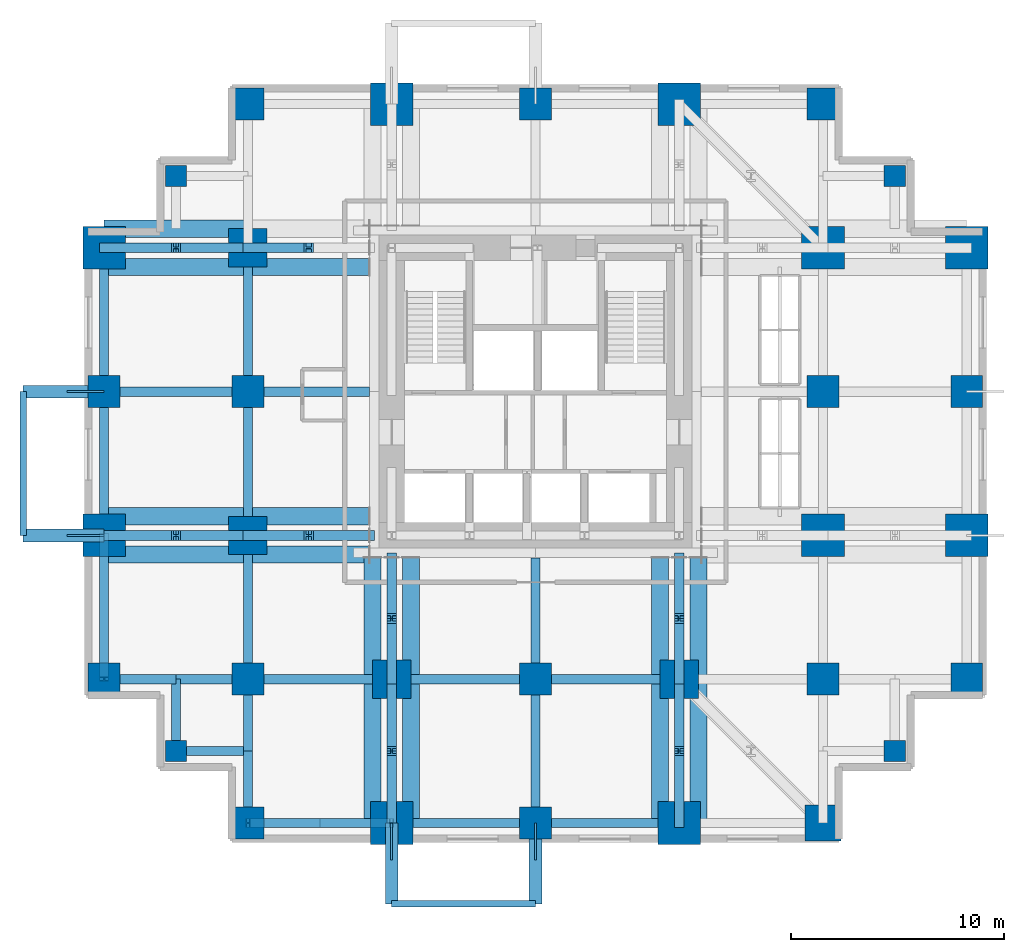
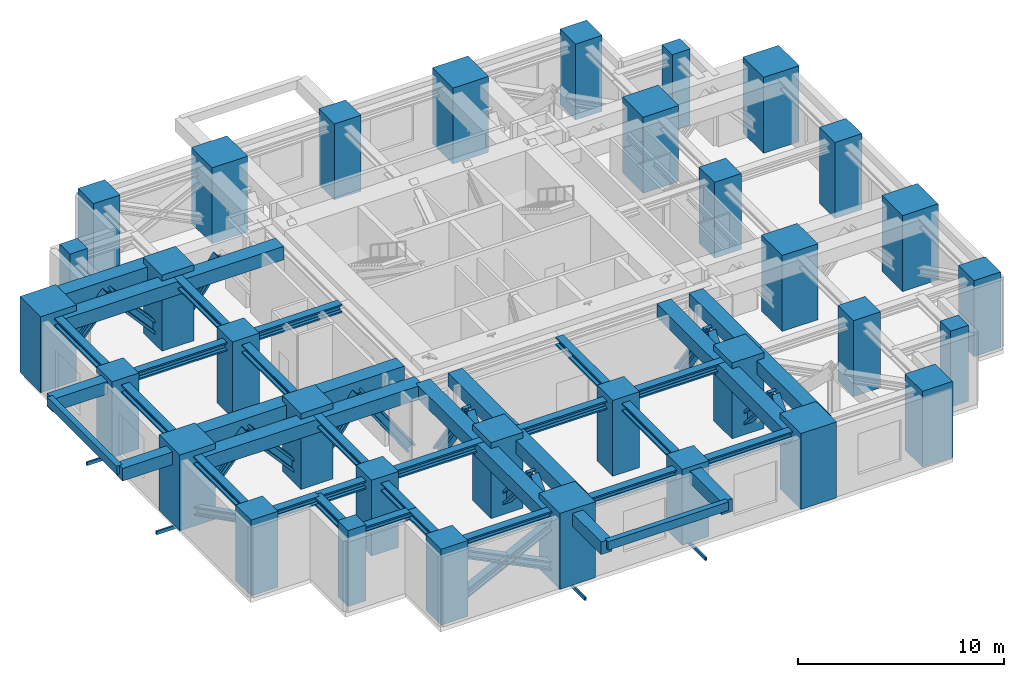
# One storey, part 1 of 6: 43 beams, 33 columns, 22 members.
"""IFC4 building model written with IfcOpenShell, lengths in metres."""

from ifc_helpers import new_model, si_unit, direction, frame, origin, origin_2d, place, context, subcontext, project, spatial, rectangle, hollow_rectangle, i_section, extrude, material, material_profile, profile_set, type_object, element, save


model = new_model("IFC4")

# Units and contexts
model_context = context("Model", 3, precision=1e-05, world=origin(), true_north=direction((0.0, 1.0)))
body_context = subcontext(model_context, "Body", "Model", "MODEL_VIEW")
ifc_project = project(units=[si_unit("LENGTHUNIT", "METRE"), si_unit("AREAUNIT", "SQUARE_METRE"), si_unit("VOLUMEUNIT", "CUBIC_METRE"), si_unit("PLANEANGLEUNIT", "RADIAN"), si_unit("MASSUNIT", "GRAM", prefix="KILO")], contexts=[model_context])

# Site, building, storey
site_placement = place(None, origin())
site = spatial("IfcSite", under=ifc_project, at=site_placement, CompositionType="ELEMENT")
building_placement = place(site_placement, origin())
building = spatial("IfcBuilding", under=site, at=building_placement, Name="Nyansa Garden Tower", CompositionType="ELEMENT")
storey_placement = place(building_placement, frame((0.0, 0.0, 137.699951171875)))
storey = spatial("IfcBuildingStorey", under=building, at=storey_placement, Name="L37", CompositionType="ELEMENT", Elevation=137.699951171875)

# Columns
ifc_material_1 = material(Name="Concrete C70/85", Category="concrete")
ifc_material_profile_1 = material_profile(ifc_material_1, rectangle(XDim=1.0, YDim=1.0, at=origin_2d()), Name="RC 1000x1000")
ifc_profile_set_1 = profile_set([ifc_material_profile_1], Name="Concrete C70/85")
column_type_1 = type_object("IfcColumnType", Name="Column C100 RC 1000x1000", PredefinedType="COLUMN", material=ifc_profile_set_1)
for number, where, z_axis, x_axis, name in (
    (1, (3.375, 3.375, 0.0), (0.0, 0.0, 1.0), (1.0, 0.0, 0.0), "Column x3.375/y3.375 L37"),
    (2, (3.375, 30.375, 0.0), (0.0, 0.0, 1.0), (1.0, 0.0, 0.0), "Column x3.375/y30.375 L37"),
    (3, (37.125, 3.375, 0.0), (0.0, 0.0, 1.0), (1.0, 0.0, 0.0), "Column x37.125/y3.375 L37"),
    (4, (37.125, 30.375, 0.0), (0.0, 0.0, 1.0), (1.0, 0.0, 0.0), "Column x37.125/y30.375 L37"),
):
    element("IfcColumn", number, at=place(storey_placement, frame(where, z_axis=z_axis, x_axis=x_axis)), inside=storey, type_object=column_type_1, Name=name, PredefinedType="COLUMN", context=body_context, shape_type="SweptSolid", body=[
        extrude(rectangle(XDim=1.0, YDim=1.0, at=origin_2d()), origin(), (0.0, 0.0, 1.0), 4.5),
    ])
ifc_material_2 = material(Name="Concrete C80/95", Category="concrete")
ifc_material_profile_2 = material_profile(ifc_material_2, rectangle(XDim=1.5, YDim=1.5, at=origin_2d()), Name="RC 1500x1500")
ifc_profile_set_2 = profile_set([ifc_material_profile_2], Name="Concrete C80/95")
column_type_2 = type_object("IfcColumnType", Name="Column C150 RC 1500x1500", PredefinedType="COLUMN", material=ifc_profile_set_2)
for number, where, z_axis, x_axis, name in (
    (5, (0.0, 6.75, 0.0), (0.0, 0.0, 1.0), (1.0, 0.0, 0.0), "Column 2/E L37"),
    (6, (0.0, 20.25, 0.0), (0.0, 0.0, 1.0), (1.0, 0.0, 0.0), "Column 2/G L37"),
    (7, (6.75, 0.0, 0.0), (0.0, 0.0, 1.0), (1.0, 0.0, 0.0), "Column 3/D L37"),
    (8, (6.75, 6.75, 0.0), (0.0, 0.0, 1.0), (1.0, 0.0, 0.0), "Column 3/E L37"),
    (9, (6.75, 20.25, 0.0), (0.0, 0.0, 1.0), (1.0, 0.0, 0.0), "Column 3/G L37"),
    (10, (6.75, 33.75, 0.0), (0.0, 0.0, 1.0), (1.0, 0.0, 0.0), "Column 3/J L37"),
    (11, (20.25, 0.0, 0.0), (0.0, 0.0, 1.0), (1.0, 0.0, 0.0), "Column 5/D L37"),
    (12, (20.25, 6.75, 0.0), (0.0, 0.0, 1.0), (1.0, 0.0, 0.0), "Column 5/E L37"),
    (13, (20.25, 33.75, 0.0), (0.0, 0.0, 1.0), (1.0, 0.0, 0.0), "Column 5/J L37"),
    (14, (33.75, 6.75, 0.0), (0.0, 0.0, 1.0), (1.0, 0.0, 0.0), "Column 7/E L37"),
    (15, (33.75, 20.25, 0.0), (0.0, 0.0, 1.0), (1.0, 0.0, 0.0), "Column 7/G L37"),
    (16, (33.75, 33.75, 0.0), (0.0, 0.0, 1.0), (1.0, 0.0, 0.0), "Column 7/J L37"),
    (17, (40.5, 6.75, 0.0), (0.0, 0.0, 1.0), (1.0, 0.0, 0.0), "Column 8/E L37"),
    (18, (40.5, 20.25, 0.0), (0.0, 0.0, 1.0), (1.0, 0.0, 0.0), "Column 8/G L37"),
):
    element("IfcColumn", number, at=place(storey_placement, frame(where, z_axis=z_axis, x_axis=x_axis)), inside=storey, type_object=column_type_2, Name=name, PredefinedType="COLUMN", context=body_context, shape_type="SweptSolid", body=[
        extrude(rectangle(XDim=1.5, YDim=1.5, at=origin_2d()), origin(), (0.0, 0.0, 1.0), 4.5),
    ])
ifc_material_3 = material(Name="Concrete C80/95", Category="concrete")
ifc_material_profile_3 = material_profile(ifc_material_3, rectangle(XDim=1.699951171875, YDim=1.699951171875, at=origin_2d()), Name="RC 1700x1700")
ifc_profile_set_3 = profile_set([ifc_material_profile_3], Name="Concrete C80/95")
column_type_3 = type_object("IfcColumnType", Name="Column C170 RC 1700x1700", PredefinedType="COLUMN", material=ifc_profile_set_3)
column_placement = place(storey_placement, frame((33.75, 0.0, 0.0), z_axis=(0.0, 0.0, 1.0), x_axis=(1.0, 0.0, 0.0)))
element("IfcColumn", 19, at=column_placement, inside=storey, type_object=column_type_3, Name="Column 7/D L37", PredefinedType="COLUMN", context=body_context, shape_type="SweptSolid", body=[
    extrude(rectangle(XDim=1.699951171875, YDim=1.699951171875, at=origin_2d()), origin(), (0.0, 0.0, 1.0), 4.5),
])
ifc_material_4 = material(Name="Concrete C80/95", Category="concrete")
ifc_material_profile_4 = material_profile(ifc_material_4, rectangle(XDim=1.800048828125, YDim=1.800048828125, at=origin_2d()), Name="RC 1800x1800")
ifc_profile_set_4 = profile_set([ifc_material_profile_4], Name="Concrete C80/95")
column_type_4 = type_object("IfcColumnType", Name="Column C180 RC 1800x1800", PredefinedType="COLUMN", material=ifc_profile_set_4)
for number, where, z_axis, x_axis, name in (
    (20, (6.75, 13.5, 0.0), (0.0, 0.0, 1.0), (1.0, 0.0, 0.0), "Column 3/F L37"),
    (21, (6.75, 27.0, 0.0), (0.0, 0.0, 1.0), (1.0, 0.0, 0.0), "Column 3/H L37"),
    (22, (13.5, 6.75, 0.0), (0.0, 0.0, 1.0), (1.0, 0.0, 0.0), "Column 4/E L37"),
    (23, (27.0, 6.75, 0.0), (0.0, 0.0, 1.0), (1.0, 0.0, 0.0), "Column 6/E L37"),
):
    element("IfcColumn", number, at=place(storey_placement, frame(where, z_axis=z_axis, x_axis=x_axis)), inside=storey, type_object=column_type_4, Name=name, PredefinedType="COLUMN", context=body_context, shape_type="SweptSolid", body=[
        extrude(rectangle(XDim=1.800048828125, YDim=1.800048828125, at=origin_2d()), origin(), (0.0, 0.0, 1.0), 4.5),
    ])
ifc_material_5 = material(Name="Concrete C80/95", Category="concrete")
ifc_material_profile_5 = material_profile(ifc_material_5, rectangle(XDim=2.0, YDim=2.0, at=origin_2d()), Name="RC 2000x2000")
ifc_profile_set_5 = profile_set([ifc_material_profile_5], Name="Concrete C80/95")
column_type_5 = type_object("IfcColumnType", Name="Column C200 RC 2000x2000", PredefinedType="COLUMN", material=ifc_profile_set_5)
for number, where, z_axis, x_axis, name in (
    (24, (0.0, 13.5, 0.0), (0.0, 0.0, 1.0), (1.0, 0.0, 0.0), "Column 2/F L37"),
    (25, (0.0, 27.0, 0.0), (0.0, 0.0, 1.0), (1.0, 0.0, 0.0), "Column 2/H L37"),
    (26, (13.5, 0.0, 0.0), (0.0, 0.0, 1.0), (1.0, 0.0, 0.0), "Column 4/D L37"),
    (27, (13.5, 33.75, 0.0), (0.0, 0.0, 1.0), (1.0, 0.0, 0.0), "Column 4/J L37"),
    (28, (27.0, 0.0, 0.0), (0.0, 0.0, 1.0), (1.0, 0.0, 0.0), "Column 6/D L37"),
    (29, (27.0, 33.75, 0.0), (0.0, 0.0, 1.0), (1.0, 0.0, 0.0), "Column 6/J L37"),
    (30, (33.75, 13.5, 0.0), (0.0, 0.0, 1.0), (1.0, 0.0, 0.0), "Column 7/F L37"),
    (31, (33.75, 27.0, 0.0), (0.0, 0.0, 1.0), (1.0, 0.0, 0.0), "Column 7/H L37"),
    (32, (40.5, 13.5, 0.0), (0.0, 0.0, 1.0), (1.0, 0.0, 0.0), "Column 8/F L37"),
    (33, (40.5, 27.0, 0.0), (0.0, 0.0, 1.0), (1.0, 0.0, 0.0), "Column 8/H L37"),
):
    element("IfcColumn", number, at=place(storey_placement, frame(where, z_axis=z_axis, x_axis=x_axis)), inside=storey, type_object=column_type_5, Name=name, PredefinedType="COLUMN", context=body_context, shape_type="SweptSolid", body=[
        extrude(rectangle(XDim=2.0, YDim=2.0, at=origin_2d()), origin(), (0.0, 0.0, 1.0), 4.5),
    ])

# Beams
ifc_material_6 = material(Name="Concrete C70/85", Category="concrete")
ifc_material_profile_6 = material_profile(ifc_material_6, rectangle(XDim=0.60009765625, YDim=0.75, at=origin_2d()), Name="RC 600x750")
ifc_profile_set_6 = profile_set([ifc_material_profile_6], Name="Concrete C70/85")
beam_type_1 = type_object("IfcBeamType", Name="Balcony cantilever beam CB1 RC 600x750", PredefinedType="BEAM", material=ifc_profile_set_6)
for number, where, z_axis, x_axis, name in (
    (34, (13.5, 0.0, 3.885009765625), (0.0, -1.0, 0.0), (1.0, 0.0, 0.0), "Balcony cantilever beam L38"),
    (35, (20.25, 0.0, 3.885009765625), (0.0, -1.0, 0.0), (1.0, 0.0, 0.0), "Balcony cantilever beam L38"),
    (36, (0.0, 13.5, 3.885009765625), (-1.0, 0.0, 0.0), (0.0, -1.0, 0.0), "Balcony cantilever beam L38"),
    (37, (0.0, 20.25, 3.885009765625), (-1.0, 0.0, 0.0), (0.0, -1.0, 0.0), "Balcony cantilever beam L38"),
):
    element("IfcBeam", number, at=place(storey_placement, frame(where, z_axis=z_axis, x_axis=x_axis)), inside=storey, type_object=beam_type_1, Name=name, PredefinedType="BEAM", context=body_context, shape_type="SweptSolid", body=[
        extrude(rectangle(XDim=0.60009765625, YDim=0.75, at=origin_2d()), origin(), (0.0, 0.0, 1.0), 3.800048828125),
    ])
ifc_material_7 = material(Name="Concrete C70/85", Category="concrete")
ifc_material_profile_7 = material_profile(ifc_material_7, rectangle(XDim=0.300048828125, YDim=0.5, at=origin_2d()), Name="RC 300x500")
ifc_profile_set_7 = profile_set([ifc_material_profile_7], Name="Concrete C70/85")
beam_type_2 = type_object("IfcBeamType", Name="Balcony edge beam BE1 RC 300x500", PredefinedType="BEAM", material=ifc_profile_set_7)
for number, where, z_axis, x_axis, name in (
    (38, (13.5, -3.800048828125, 4.010009765625), (1.0, 0.0, 0.0), (0.0, 1.0, 0.0), "Balcony edge beam L38"),
    (39, (-3.800048828125, 13.5, 4.010009765625), (0.0, 1.0, 0.0), (-1.0, 0.0, 0.0), "Balcony edge beam L38"),
):
    element("IfcBeam", number, at=place(storey_placement, frame(where, z_axis=z_axis, x_axis=x_axis)), inside=storey, type_object=beam_type_2, Name=name, PredefinedType="BEAM", context=body_context, shape_type="SweptSolid", body=[
        extrude(rectangle(XDim=0.300048828125, YDim=0.5, at=origin_2d()), origin(), (0.0, 0.0, 1.0), 6.75),
    ])

# Members
ifc_material_8 = material(Name="Steel S355", Category="steel")
ifc_material_profile_8 = material_profile(ifc_material_8, i_section(OverallWidth=0.424072265625, OverallDepth=0.47412109375, WebThickness=0.047607421875, FlangeThickness=0.076904296875, FilletRadius=0.014892578125, at=origin_2d()), Name="HD 400x634")
ifc_profile_set_8 = profile_set([ifc_material_profile_8], Name="Steel S355")
member_type_1 = type_object("IfcMemberType", Name="Belt truss diagonal HD 400x634", PredefinedType="BRACE", material=ifc_profile_set_8)
for number, where, z_axis, x_axis, name in (
    (40, (6.75, 0.0, 0.400146484375), (0.895758031475, 0.0, 0.444541954205), (0.0, 1.0, 0.0), "Belt truss diagonal S1a L37"),
    (41, (13.5, 0.0, 0.400146484375), (-0.895758031475, 0.0, 0.444541954205), (0.0, -1.0, 0.0), "Belt truss diagonal S1b L37"),
):
    element("IfcMember", number, at=place(storey_placement, frame(where, z_axis=z_axis, x_axis=x_axis)), inside=storey, type_object=member_type_1, Name=name, PredefinedType="BRACE", context=body_context, shape_type="SweptSolid", body=[
        extrude(i_section(OverallWidth=0.424072265625, OverallDepth=0.47412109375, WebThickness=0.047607421875, FlangeThickness=0.076904296875, FilletRadius=0.014892578125, at=origin_2d()), origin(), (0.0, 0.0, 1.0), 7.535400390625),
    ])
ifc_material_9 = material(Name="Steel S355, black powder coated", Category="steel")
ifc_material_profile_9 = material_profile(ifc_material_9, hollow_rectangle(XDim=0.10009765625, YDim=0.199951171875, WallThickness=0.008056640625, at=origin_2d()), Name="RHS 200x100x8")
ifc_profile_set_9 = profile_set([ifc_material_profile_9], Name="Steel S355, black powder coated")
member_type_2 = type_object("IfcMemberType", Name="Outer skin bracket arm RHS 200x100x8", PredefinedType="USERDEFINED", material=ifc_profile_set_9)
for number, where, z_axis, x_axis, name in (
    (42, (0.0, 13.5, -0.449951171875), (-1.0, 0.0, 0.0), (0.0, -1.0, 0.0), "Outer skin bracket arm"),
    (43, (0.0, 20.25, -0.449951171875), (-1.0, 0.0, 0.0), (0.0, -1.0, 0.0), "Outer skin bracket arm"),
    (44, (13.5, 0.0, -0.449951171875), (0.0, -1.0, 0.0), (1.0, 0.0, 0.0), "Outer skin bracket arm"),
    (45, (20.25, 0.0, -0.449951171875), (0.0, -1.0, 0.0), (1.0, 0.0, 0.0), "Outer skin bracket arm"),
):
    element("IfcMember", number, at=place(storey_placement, frame(where, z_axis=z_axis, x_axis=x_axis)), inside=storey, type_object=member_type_2, Name=name, ObjectType="OUTER SKIN BRACKET", PredefinedType="USERDEFINED", context=body_context, shape_type="SweptSolid", body=[
        extrude(hollow_rectangle(XDim=0.10009765625, YDim=0.199951171875, WallThickness=0.008056640625, at=origin_2d()), origin(), (0.0, 0.0, 1.0), 1.75),
    ])

# Beams
ifc_material_10 = material(Name="Steel S355", Category="steel")
ifc_material_profile_10 = material_profile(ifc_material_10, hollow_rectangle(XDim=0.800048828125, YDim=0.800048828125, WallThickness=0.125, at=origin_2d()), Name="Welded box 800x800x125")
ifc_profile_set_10 = profile_set([ifc_material_profile_10], Name="Steel S355")
beam_type_3 = type_object("IfcBeamType", Name="Outrigger chord OC3 welded box 800x800x125 S355", PredefinedType="BEAM", material=ifc_profile_set_10)
for number, where, z_axis, x_axis, name in (
    (46, (0.0, 14.39990234375, 3.75), (1.0, 0.0, 0.0), (0.0, 1.0, 0.0), "Beam 2/F-3/F L38 a"),
    (47, (0.0, 12.60009765625, 3.75), (1.0, 0.0, 0.0), (0.0, 1.0, 0.0), "Beam 2/F-3/F L38 b"),
    (48, (0.0, 27.89990234375, 3.75), (1.0, 0.0, 0.0), (0.0, 1.0, 0.0), "Beam 2/H-3/H L38 a"),
    (49, (0.0, 26.10009765625, 3.75), (1.0, 0.0, 0.0), (0.0, 1.0, 0.0), "Beam 2/H-3/H L38 b"),
):
    element("IfcBeam", number, at=place(storey_placement, frame(where, z_axis=z_axis, x_axis=x_axis)), inside=storey, type_object=beam_type_3, Name=name, PredefinedType="BEAM", context=body_context, shape_type="SweptSolid", body=[
        extrude(hollow_rectangle(XDim=0.800048828125, YDim=0.800048828125, WallThickness=0.125, at=origin_2d()), origin(), (0.0, 0.0, 1.0), 6.75),
    ])
for number, where, z_axis, x_axis, name in (
    (50, (6.75, 14.39990234375, 3.75), (1.0, 0.0, 0.0), (0.0, 1.0, 0.0), "Beam 3/F-12.450/F L38 a"),
    (51, (6.75, 12.60009765625, 3.75), (1.0, 0.0, 0.0), (0.0, 1.0, 0.0), "Beam 3/F-12.450/F L38 b"),
    (52, (6.75, 26.10009765625, 3.75), (1.0, 0.0, 0.0), (0.0, 1.0, 0.0), "Beam 3/H-12.450/H L38 b"),
):
    element("IfcBeam", number, at=place(storey_placement, frame(where, z_axis=z_axis, x_axis=x_axis)), inside=storey, type_object=beam_type_3, Name=name, PredefinedType="BEAM", context=body_context, shape_type="SweptSolid", body=[
        extrude(hollow_rectangle(XDim=0.800048828125, YDim=0.800048828125, WallThickness=0.125, at=origin_2d()), origin(), (0.0, 0.0, 1.0), 5.699951171875),
    ])
for number, where, z_axis, x_axis, name in (
    (53, (12.60009765625, 0.0, 3.75), (0.0, 1.0, 0.0), (-1.0, 0.0, 0.0), "Beam 4/D-4/E L38 a"),
    (54, (14.39990234375, 0.0, 3.75), (0.0, 1.0, 0.0), (-1.0, 0.0, 0.0), "Beam 4/D-4/E L38 b"),
):
    element("IfcBeam", number, at=place(storey_placement, frame(where, z_axis=z_axis, x_axis=x_axis)), inside=storey, type_object=beam_type_3, Name=name, PredefinedType="BEAM", context=body_context, shape_type="SweptSolid", body=[
        extrude(hollow_rectangle(XDim=0.800048828125, YDim=0.800048828125, WallThickness=0.125, at=origin_2d()), origin(), (0.0, 0.0, 1.0), 6.75),
    ])
for number, where, z_axis, x_axis, name in (
    (55, (12.60009765625, 6.75, 3.75), (0.0, 1.0, 0.0), (-1.0, 0.0, 0.0), "Beam 4/E-4/12.450 L38 a"),
    (56, (14.39990234375, 6.75, 3.75), (0.0, 1.0, 0.0), (-1.0, 0.0, 0.0), "Beam 4/E-4/12.450 L38 b"),
):
    element("IfcBeam", number, at=place(storey_placement, frame(where, z_axis=z_axis, x_axis=x_axis)), inside=storey, type_object=beam_type_3, Name=name, PredefinedType="BEAM", context=body_context, shape_type="SweptSolid", body=[
        extrude(hollow_rectangle(XDim=0.800048828125, YDim=0.800048828125, WallThickness=0.125, at=origin_2d()), origin(), (0.0, 0.0, 1.0), 5.699951171875),
    ])
for number, where, z_axis, x_axis, name in (
    (57, (26.10009765625, 0.0, 3.75), (0.0, 1.0, 0.0), (-1.0, 0.0, 0.0), "Beam 6/D-6/E L38 a"),
    (58, (27.89990234375, 0.0, 3.75), (0.0, 1.0, 0.0), (-1.0, 0.0, 0.0), "Beam 6/D-6/E L38 b"),
):
    element("IfcBeam", number, at=place(storey_placement, frame(where, z_axis=z_axis, x_axis=x_axis)), inside=storey, type_object=beam_type_3, Name=name, PredefinedType="BEAM", context=body_context, shape_type="SweptSolid", body=[
        extrude(hollow_rectangle(XDim=0.800048828125, YDim=0.800048828125, WallThickness=0.125, at=origin_2d()), origin(), (0.0, 0.0, 1.0), 6.75),
    ])
for number, where, z_axis, x_axis, name in (
    (59, (26.10009765625, 6.75, 3.75), (0.0, 1.0, 0.0), (-1.0, 0.0, 0.0), "Beam 6/E-6/12.450 L38 a"),
    (60, (27.89990234375, 6.75, 3.75), (0.0, 1.0, 0.0), (-1.0, 0.0, 0.0), "Beam 6/E-6/12.450 L38 b"),
):
    element("IfcBeam", number, at=place(storey_placement, frame(where, z_axis=z_axis, x_axis=x_axis)), inside=storey, type_object=beam_type_3, Name=name, PredefinedType="BEAM", context=body_context, shape_type="SweptSolid", body=[
        extrude(hollow_rectangle(XDim=0.800048828125, YDim=0.800048828125, WallThickness=0.125, at=origin_2d()), origin(), (0.0, 0.0, 1.0), 5.699951171875),
    ])

# Members
ifc_material_11 = material(Name="Steel S355", Category="steel")
ifc_material_profile_11 = material_profile(ifc_material_11, i_section(OverallWidth=0.4541015625, OverallDepth=0.569091796875, WebThickness=0.077880859375, FlangeThickness=0.125, FilletRadius=0.014892578125, at=origin_2d()), Name="HD 400x1086")
ifc_profile_set_11 = profile_set([ifc_material_profile_11], Name="Steel S355")
member_type_3 = type_object("IfcMemberType", Name="Outrigger truss diagonal HD 400x1086", PredefinedType="BRACE", material=ifc_profile_set_11)
for number, where, z_axis, x_axis, name in (
    (61, (13.5, 0.0, 0.0), (0.0, 0.664053699108, 0.747684883291), (-1.0, 0.0, 0.0), "Outrigger truss diagonal L37 1.1a"),
    (62, (13.5, 6.75, 0.0), (0.0, -0.664053699108, 0.747684883291), (1.0, 0.0, 0.0), "Outrigger truss diagonal L37 1.1b"),
):
    element("IfcMember", number, at=place(storey_placement, frame(where, z_axis=z_axis, x_axis=x_axis)), inside=storey, type_object=member_type_3, Name=name, PredefinedType="BRACE", context=body_context, shape_type="SweptSolid", body=[
        extrude(i_section(OverallWidth=0.4541015625, OverallDepth=0.569091796875, WebThickness=0.077880859375, FlangeThickness=0.125, FilletRadius=0.014892578125, at=origin_2d()), origin(), (0.0, 0.0, 1.0), 5.08251953125),
    ])
member_1_placement = place(storey_placement, frame((13.5, 6.75, 0.0), z_axis=(0.0, 0.600008223483, 0.799993832321), x_axis=(-1.0, 0.0, 0.0)))
element("IfcMember", 63, at=member_1_placement, inside=storey, type_object=member_type_3, Name="Outrigger truss diagonal L37 1.2a", PredefinedType="BRACE", context=body_context, shape_type="SweptSolid", body=[
    extrude(i_section(OverallWidth=0.4541015625, OverallDepth=0.569091796875, WebThickness=0.077880859375, FlangeThickness=0.125, FilletRadius=0.014892578125, at=origin_2d()), origin(), (0.0, 0.0, 1.0), 4.75),
])
member_2_placement = place(storey_placement, frame((13.5, 12.449951171875, -0.300048828125), z_axis=(0.0, -0.570742116103, 0.82112936673), x_axis=(1.0, 0.0, 0.0)))
element("IfcMember", 64, at=member_2_placement, inside=storey, type_object=member_type_3, Name="Outrigger truss diagonal L37 1.2b", PredefinedType="BRACE", context=body_context, shape_type="SweptSolid", body=[
    extrude(i_section(OverallWidth=0.4541015625, OverallDepth=0.569091796875, WebThickness=0.077880859375, FlangeThickness=0.125, FilletRadius=0.014892578125, at=origin_2d()), origin(), (0.0, 0.0, 1.0), 4.9931640625),
])
for number, where, z_axis, x_axis, name in (
    (65, (27.0, 0.0, 0.0), (0.0, 0.664053699108, 0.747684883291), (-1.0, 0.0, 0.0), "Outrigger truss diagonal L37 2.1a"),
    (66, (27.0, 6.75, 0.0), (0.0, -0.664053699108, 0.747684883291), (1.0, 0.0, 0.0), "Outrigger truss diagonal L37 2.1b"),
):
    element("IfcMember", number, at=place(storey_placement, frame(where, z_axis=z_axis, x_axis=x_axis)), inside=storey, type_object=member_type_3, Name=name, PredefinedType="BRACE", context=body_context, shape_type="SweptSolid", body=[
        extrude(i_section(OverallWidth=0.4541015625, OverallDepth=0.569091796875, WebThickness=0.077880859375, FlangeThickness=0.125, FilletRadius=0.014892578125, at=origin_2d()), origin(), (0.0, 0.0, 1.0), 5.08251953125),
    ])
member_3_placement = place(storey_placement, frame((27.0, 6.75, 0.0), z_axis=(0.0, 0.600008223483, 0.799993832321), x_axis=(-1.0, 0.0, 0.0)))
element("IfcMember", 67, at=member_3_placement, inside=storey, type_object=member_type_3, Name="Outrigger truss diagonal L37 2.2a", PredefinedType="BRACE", context=body_context, shape_type="SweptSolid", body=[
    extrude(i_section(OverallWidth=0.4541015625, OverallDepth=0.569091796875, WebThickness=0.077880859375, FlangeThickness=0.125, FilletRadius=0.014892578125, at=origin_2d()), origin(), (0.0, 0.0, 1.0), 4.75),
])
member_4_placement = place(storey_placement, frame((27.0, 12.449951171875, -0.300048828125), z_axis=(0.0, -0.570742116103, 0.82112936673), x_axis=(1.0, 0.0, 0.0)))
element("IfcMember", 68, at=member_4_placement, inside=storey, type_object=member_type_3, Name="Outrigger truss diagonal L37 2.2b", PredefinedType="BRACE", context=body_context, shape_type="SweptSolid", body=[
    extrude(i_section(OverallWidth=0.4541015625, OverallDepth=0.569091796875, WebThickness=0.077880859375, FlangeThickness=0.125, FilletRadius=0.014892578125, at=origin_2d()), origin(), (0.0, 0.0, 1.0), 4.9931640625),
])
for number, where, z_axis, x_axis, name in (
    (69, (0.0, 13.5, 0.0), (0.664053699108, 0.0, 0.747684883291), (0.0, 1.0, 0.0), "Outrigger truss diagonal L37 5.1a"),
    (70, (6.75, 13.5, 0.0), (-0.664053699108, 0.0, 0.747684883291), (0.0, -1.0, 0.0), "Outrigger truss diagonal L37 5.1b"),
):
    element("IfcMember", number, at=place(storey_placement, frame(where, z_axis=z_axis, x_axis=x_axis)), inside=storey, type_object=member_type_3, Name=name, PredefinedType="BRACE", context=body_context, shape_type="SweptSolid", body=[
        extrude(i_section(OverallWidth=0.4541015625, OverallDepth=0.569091796875, WebThickness=0.077880859375, FlangeThickness=0.125, FilletRadius=0.014892578125, at=origin_2d()), origin(), (0.0, 0.0, 1.0), 5.08251953125),
    ])
member_5_placement = place(storey_placement, frame((6.75, 13.5, 0.0), z_axis=(0.600008223483, 0.0, 0.799993832321), x_axis=(0.0, 1.0, 0.0)))
element("IfcMember", 71, at=member_5_placement, inside=storey, type_object=member_type_3, Name="Outrigger truss diagonal L37 5.2a", PredefinedType="BRACE", context=body_context, shape_type="SweptSolid", body=[
    extrude(i_section(OverallWidth=0.4541015625, OverallDepth=0.569091796875, WebThickness=0.077880859375, FlangeThickness=0.125, FilletRadius=0.014892578125, at=origin_2d()), origin(), (0.0, 0.0, 1.0), 4.75),
])
member_6_placement = place(storey_placement, frame((12.449951171875, 13.5, -0.300048828125), z_axis=(-0.570742116103, 0.0, 0.82112936673), x_axis=(0.0, -1.0, 0.0)))
element("IfcMember", 72, at=member_6_placement, inside=storey, type_object=member_type_3, Name="Outrigger truss diagonal L37 5.2b", PredefinedType="BRACE", context=body_context, shape_type="SweptSolid", body=[
    extrude(i_section(OverallWidth=0.4541015625, OverallDepth=0.569091796875, WebThickness=0.077880859375, FlangeThickness=0.125, FilletRadius=0.014892578125, at=origin_2d()), origin(), (0.0, 0.0, 1.0), 4.9931640625),
])
for number, where, z_axis, x_axis, name in (
    (73, (0.0, 27.0, 0.0), (0.664053699108, 0.0, 0.747684883291), (0.0, 1.0, 0.0), "Outrigger truss diagonal L37 6.1a"),
    (74, (6.75, 27.0, 0.0), (-0.664053699108, 0.0, 0.747684883291), (0.0, -1.0, 0.0), "Outrigger truss diagonal L37 6.1b"),
):
    element("IfcMember", number, at=place(storey_placement, frame(where, z_axis=z_axis, x_axis=x_axis)), inside=storey, type_object=member_type_3, Name=name, PredefinedType="BRACE", context=body_context, shape_type="SweptSolid", body=[
        extrude(i_section(OverallWidth=0.4541015625, OverallDepth=0.569091796875, WebThickness=0.077880859375, FlangeThickness=0.125, FilletRadius=0.014892578125, at=origin_2d()), origin(), (0.0, 0.0, 1.0), 5.08251953125),
    ])
member_7_placement = place(storey_placement, frame((6.75, 27.0, 0.0), z_axis=(0.600008223483, 0.0, 0.799993832321), x_axis=(0.0, 1.0, 0.0)))
element("IfcMember", 75, at=member_7_placement, inside=storey, type_object=member_type_3, Name="Outrigger truss diagonal L37 6.2a", PredefinedType="BRACE", context=body_context, shape_type="SweptSolid", body=[
    extrude(i_section(OverallWidth=0.4541015625, OverallDepth=0.569091796875, WebThickness=0.077880859375, FlangeThickness=0.125, FilletRadius=0.014892578125, at=origin_2d()), origin(), (0.0, 0.0, 1.0), 4.75),
])
ifc_material_12 = material(Name="Steel S355", Category="steel")
ifc_material_profile_12 = material_profile(ifc_material_12, i_section(OverallWidth=0.41796875, OverallDepth=0.455078125, WebThickness=0.0419921875, FlangeThickness=0.067626953125, FilletRadius=0.014892578125, at=origin_2d()), Name="HD 400x463")
ifc_profile_set_12 = profile_set([ifc_material_profile_12], Name="Steel S355")
member_type_4 = type_object("IfcMemberType", Name="Perimeter brace HD 400x463", PredefinedType="BRACE", material=ifc_profile_set_12)
member_8_placement = place(storey_placement, frame((0.0, 13.5, 0.400146484375), z_axis=(0.0, -0.893105356343, 0.449847554703), x_axis=(1.0, 0.0, 0.0)))
element("IfcMember", 76, at=member_8_placement, inside=storey, type_object=member_type_4, Name="Perimeter brace W1 L37", PredefinedType="BRACE", context=body_context, shape_type="SweptSolid", body=[
    extrude(i_section(OverallWidth=0.41796875, OverallDepth=0.455078125, WebThickness=0.0419921875, FlangeThickness=0.067626953125, FilletRadius=0.014892578125, at=origin_2d()), origin(), (0.0, 0.0, 1.0), 7.557861328125),
])

# Beams
ifc_material_13 = material(Name="Steel S355", Category="steel")
ifc_material_profile_13 = material_profile(ifc_material_13, i_section(OverallWidth=0.431884765625, OverallDepth=0.498046875, WebThickness=0.0556640625, FlangeThickness=0.0888671875, FilletRadius=0.014892578125, at=origin_2d()), Name="HD 400x744")
ifc_profile_set_13 = profile_set([ifc_material_profile_13], Name="Steel S355")
beam_type_4 = type_object("IfcBeamType", Name="Steel beam SBB2-744 HD 400x744", PredefinedType="BEAM", material=ifc_profile_set_13)
beam_1_placement = place(storey_placement, frame((0.0, 20.25, 3.901123046875), z_axis=(1.0, 0.0, 0.0), x_axis=(0.0, 1.0, 0.0)))
element("IfcBeam", 77, at=beam_1_placement, inside=storey, type_object=beam_type_4, Name="Steel beam 2/G-3/G L38", PredefinedType="BEAM", context=body_context, shape_type="SweptSolid", body=[
    extrude(i_section(OverallWidth=0.431884765625, OverallDepth=0.498046875, WebThickness=0.0556640625, FlangeThickness=0.0888671875, FilletRadius=0.014892578125, at=origin_2d()), origin(), (0.0, 0.0, 1.0), 6.75),
])
for number, where, z_axis, x_axis, name in (
    (78, (3.375, 6.75, 3.901123046875), (1.0, 0.0, 0.0), (0.0, 1.0, 0.0), "Steel beam 3.375/E-3/E L38"),
    (79, (6.75, 3.375, 3.901123046875), (0.0, 1.0, 0.0), (-1.0, 0.0, 0.0), "Steel beam 3/3.375-3/E L38"),
):
    element("IfcBeam", number, at=place(storey_placement, frame(where, z_axis=z_axis, x_axis=x_axis)), inside=storey, type_object=beam_type_4, Name=name, PredefinedType="BEAM", context=body_context, shape_type="SweptSolid", body=[
        extrude(i_section(OverallWidth=0.431884765625, OverallDepth=0.498046875, WebThickness=0.0556640625, FlangeThickness=0.0888671875, FilletRadius=0.014892578125, at=origin_2d()), origin(), (0.0, 0.0, 1.0), 3.375),
    ])
for number, where, z_axis, x_axis, name in (
    (80, (6.75, 6.75, 3.901123046875), (0.0, 1.0, 0.0), (-1.0, 0.0, 0.0), "Steel beam 3/E-3/F L38"),
    (81, (6.75, 6.75, 3.901123046875), (1.0, 0.0, 0.0), (0.0, 1.0, 0.0), "Steel beam 3/E-4/E L38"),
    (82, (6.75, 13.5, 3.901123046875), (0.0, 1.0, 0.0), (-1.0, 0.0, 0.0), "Steel beam 3/F-3/G L38"),
    (83, (6.75, 20.25, 3.901123046875), (0.0, 1.0, 0.0), (-1.0, 0.0, 0.0), "Steel beam 3/G-3/H L38"),
):
    element("IfcBeam", number, at=place(storey_placement, frame(where, z_axis=z_axis, x_axis=x_axis)), inside=storey, type_object=beam_type_4, Name=name, PredefinedType="BEAM", context=body_context, shape_type="SweptSolid", body=[
        extrude(i_section(OverallWidth=0.431884765625, OverallDepth=0.498046875, WebThickness=0.0556640625, FlangeThickness=0.0888671875, FilletRadius=0.014892578125, at=origin_2d()), origin(), (0.0, 0.0, 1.0), 6.75),
    ])
beam_2_placement = place(storey_placement, frame((6.75, 20.25, 3.901123046875), z_axis=(1.0, 0.0, 0.0), x_axis=(0.0, 1.0, 0.0)))
element("IfcBeam", 84, at=beam_2_placement, inside=storey, type_object=beam_type_4, Name="Steel beam 3/G-12.450/G L38", PredefinedType="BEAM", context=body_context, shape_type="SweptSolid", body=[
    extrude(i_section(OverallWidth=0.431884765625, OverallDepth=0.498046875, WebThickness=0.0556640625, FlangeThickness=0.0888671875, FilletRadius=0.014892578125, at=origin_2d()), origin(), (0.0, 0.0, 1.0), 5.699951171875),
])
for number, where, z_axis, x_axis, name in (
    (85, (13.5, 6.75, 3.901123046875), (1.0, 0.0, 0.0), (0.0, 1.0, 0.0), "Steel beam 4/E-5/E L38"),
    (86, (20.25, 0.0, 3.901123046875), (0.0, 1.0, 0.0), (-1.0, 0.0, 0.0), "Steel beam 5/D-5/E L38"),
):
    element("IfcBeam", number, at=place(storey_placement, frame(where, z_axis=z_axis, x_axis=x_axis)), inside=storey, type_object=beam_type_4, Name=name, PredefinedType="BEAM", context=body_context, shape_type="SweptSolid", body=[
        extrude(i_section(OverallWidth=0.431884765625, OverallDepth=0.498046875, WebThickness=0.0556640625, FlangeThickness=0.0888671875, FilletRadius=0.014892578125, at=origin_2d()), origin(), (0.0, 0.0, 1.0), 6.75),
    ])
beam_3_placement = place(storey_placement, frame((20.25, 6.75, 3.901123046875), z_axis=(0.0, 1.0, 0.0), x_axis=(-1.0, 0.0, 0.0)))
element("IfcBeam", 87, at=beam_3_placement, inside=storey, type_object=beam_type_4, Name="Steel beam 5/E-5/12.450 L38", PredefinedType="BEAM", context=body_context, shape_type="SweptSolid", body=[
    extrude(i_section(OverallWidth=0.431884765625, OverallDepth=0.498046875, WebThickness=0.0556640625, FlangeThickness=0.0888671875, FilletRadius=0.014892578125, at=origin_2d()), origin(), (0.0, 0.0, 1.0), 5.699951171875),
])
beam_4_placement = place(storey_placement, frame((20.25, 6.75, 3.901123046875), z_axis=(1.0, 0.0, 0.0), x_axis=(0.0, 1.0, 0.0)))
element("IfcBeam", 88, at=beam_4_placement, inside=storey, type_object=beam_type_4, Name="Steel beam 5/E-6/E L38", PredefinedType="BEAM", context=body_context, shape_type="SweptSolid", body=[
    extrude(i_section(OverallWidth=0.431884765625, OverallDepth=0.498046875, WebThickness=0.0556640625, FlangeThickness=0.0888671875, FilletRadius=0.014892578125, at=origin_2d()), origin(), (0.0, 0.0, 1.0), 6.75),
])
ifc_material_14 = material(Name="Steel S355", Category="steel")
ifc_material_profile_14 = material_profile(ifc_material_14, i_section(OverallWidth=0.431884765625, OverallDepth=0.498046875, WebThickness=0.0556640625, FlangeThickness=0.0888671875, FilletRadius=0.014892578125, at=origin_2d()), Name="HD 400x744")
ifc_profile_set_14 = profile_set([ifc_material_profile_14], Name="Steel S355")
beam_type_5 = type_object("IfcBeamType", Name="Steel beam SEBB-744 HD 400x744", PredefinedType="BEAM", material=ifc_profile_set_14)
for number, where, z_axis, x_axis, name in (
    (89, (0.0, 6.75, 3.901123046875), (0.0, 1.0, 0.0), (-1.0, 0.0, 0.0), "Steel edge beam 2/E-2/F L38"),
    (90, (0.0, 13.5, 3.901123046875), (0.0, 1.0, 0.0), (-1.0, 0.0, 0.0), "Steel edge beam 2/F-2/G L38"),
    (91, (0.0, 20.25, 3.901123046875), (0.0, 1.0, 0.0), (-1.0, 0.0, 0.0), "Steel edge beam 2/G-2/H L38"),
    (92, (6.75, 0.0, 3.901123046875), (1.0, 0.0, 0.0), (0.0, 1.0, 0.0), "Steel edge beam 3/D-4/D L38"),
    (93, (13.5, 0.0, 3.901123046875), (1.0, 0.0, 0.0), (0.0, 1.0, 0.0), "Steel edge beam 4/D-5/D L38"),
    (94, (20.25, 0.0, 3.901123046875), (1.0, 0.0, 0.0), (0.0, 1.0, 0.0), "Steel edge beam 5/D-6/D L38"),
):
    element("IfcBeam", number, at=place(storey_placement, frame(where, z_axis=z_axis, x_axis=x_axis)), inside=storey, type_object=beam_type_5, Name=name, PredefinedType="BEAM", context=body_context, shape_type="SweptSolid", body=[
        extrude(i_section(OverallWidth=0.431884765625, OverallDepth=0.498046875, WebThickness=0.0556640625, FlangeThickness=0.0888671875, FilletRadius=0.014892578125, at=origin_2d()), origin(), (0.0, 0.0, 1.0), 6.75),
    ])
ifc_material_15 = material(Name="Steel S355", Category="steel")
ifc_material_profile_15 = material_profile(ifc_material_15, i_section(OverallWidth=0.431884765625, OverallDepth=0.498046875, WebThickness=0.0556640625, FlangeThickness=0.0888671875, FilletRadius=0.014892578125, at=origin_2d()), Name="HD 400x744")
ifc_profile_set_15 = profile_set([ifc_material_profile_15], Name="Steel S355")
beam_type_6 = type_object("IfcBeamType", Name="Steel beam SEBB2-744 HD 400x744", PredefinedType="BEAM", material=ifc_profile_set_15)
for number, where, z_axis, x_axis, name in (
    (95, (0.0, 6.75, 3.901123046875), (1.0, 0.0, 0.0), (0.0, 1.0, 0.0), "Steel edge beam 2/E-3.375/E L38"),
    (96, (6.75, 0.0, 3.901123046875), (0.0, 1.0, 0.0), (-1.0, 0.0, 0.0), "Steel edge beam 3/D-3/3.375 L38"),
):
    element("IfcBeam", number, at=place(storey_placement, frame(where, z_axis=z_axis, x_axis=x_axis)), inside=storey, type_object=beam_type_6, Name=name, PredefinedType="BEAM", context=body_context, shape_type="SweptSolid", body=[
        extrude(i_section(OverallWidth=0.431884765625, OverallDepth=0.498046875, WebThickness=0.0556640625, FlangeThickness=0.0888671875, FilletRadius=0.014892578125, at=origin_2d()), origin(), (0.0, 0.0, 1.0), 3.375),
    ])
ifc_material_16 = material(Name="Steel S355", Category="steel")
ifc_material_profile_16 = material_profile(ifc_material_16, i_section(OverallWidth=0.431884765625, OverallDepth=0.498046875, WebThickness=0.0556640625, FlangeThickness=0.0888671875, FilletRadius=0.014892578125, at=origin_2d()), Name="HD 400x744")
ifc_profile_set_16 = profile_set([ifc_material_profile_16], Name="Steel S355")
beam_type_7 = type_object("IfcBeamType", Name="Steel beam SSB1-744 HD 400x744", PredefinedType="BEAM", material=ifc_profile_set_16)
for number, where, z_axis, x_axis, name in (
    (97, (3.375, 3.375, 3.901123046875), (0.0, 1.0, 0.0), (-1.0, 0.0, 0.0), "Steel step beam 3.375/3.375 L38"),
    (98, (3.375, 3.375, 3.901123046875), (1.0, 0.0, 0.0), (0.0, 1.0, 0.0), "Steel step beam 3.375/3.375 L38"),
):
    element("IfcBeam", number, at=place(storey_placement, frame(where, z_axis=z_axis, x_axis=x_axis)), inside=storey, type_object=beam_type_7, Name=name, PredefinedType="BEAM", context=body_context, shape_type="SweptSolid", body=[
        extrude(i_section(OverallWidth=0.431884765625, OverallDepth=0.498046875, WebThickness=0.0556640625, FlangeThickness=0.0888671875, FilletRadius=0.014892578125, at=origin_2d()), origin(), (0.0, 0.0, 1.0), 3.375),
    ])

save(model, "model.ifc")
